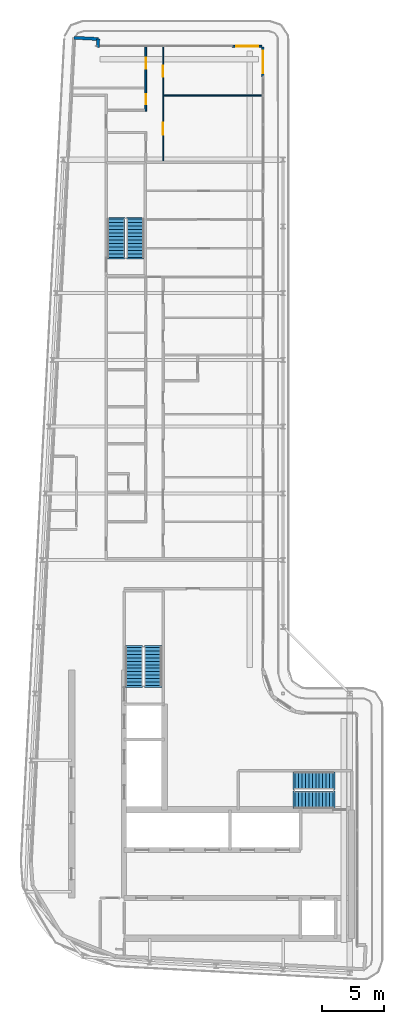
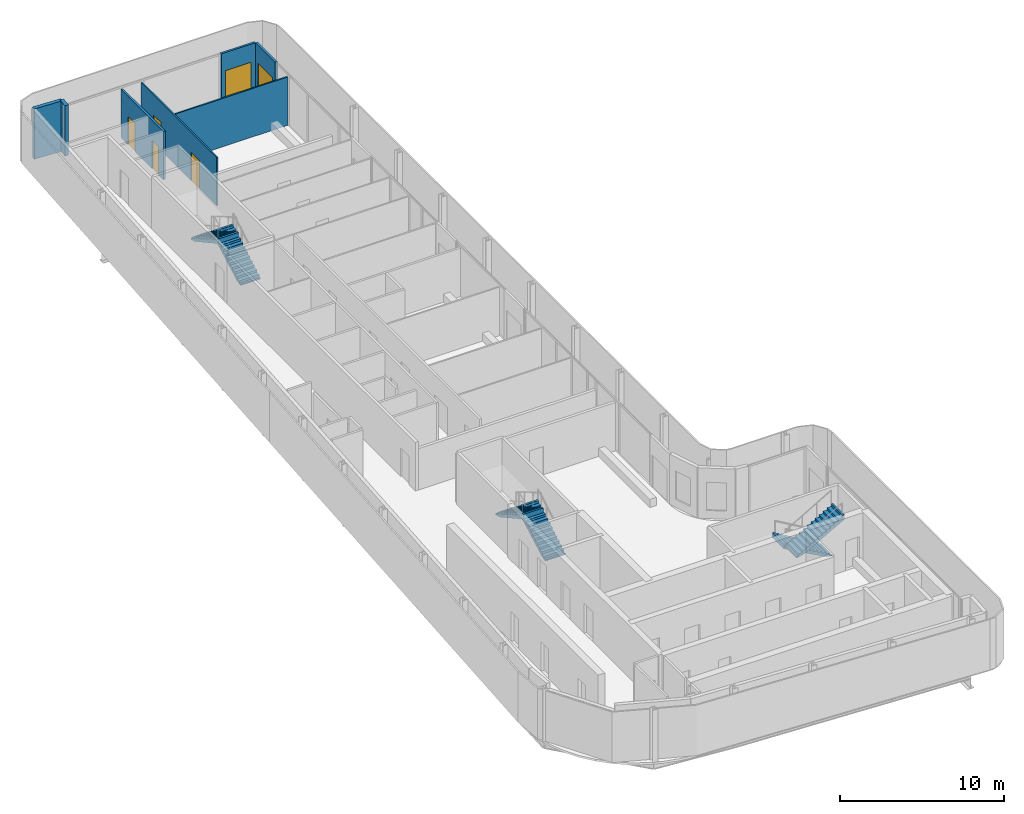
# One storey, part 12 of 18: 7 walls, 6 doors, 6 stair flights, 6 openings, 3 elements without a shape of their own.
"""IFC4 building model written with IfcOpenShell, lengths in metres."""

from ifc_helpers import new_model, si_unit, direction, frame, frame_2d, origin, place, context, subcontext, project, spatial, polyline, rectangle, outline, extrude, source, transform, mapped, material, layer, layer_set, type_object, element, fill, aggregate, save


model = new_model("IFC4")

# Units and contexts
model_context = context("Model", 3, precision=1e-05, world=origin(), true_north=direction((0.0, 1.0)))
body_context = subcontext(model_context, "Body", "Model", "MODEL_VIEW")
ifc_project = project(units=[si_unit("LENGTHUNIT", "METRE"), si_unit("AREAUNIT", "SQUARE_METRE"), si_unit("VOLUMEUNIT", "CUBIC_METRE"), si_unit("PLANEANGLEUNIT", "RADIAN"), si_unit("MASSUNIT", "GRAM", prefix="KILO")], contexts=[model_context])

# Site, building, storey
site_placement = place(None, origin())
site = spatial("IfcSite", under=ifc_project, at=site_placement, CompositionType="ELEMENT")
building_placement = place(site_placement, origin())
building = spatial("IfcBuilding", under=site, at=building_placement, Name="Kheshtan School and Residences Tower", CompositionType="ELEMENT")
storey_placement = place(building_placement, frame((0.0, 0.0, 385.10009765625)))
storey = spatial("IfcBuildingStorey", under=building, at=storey_placement, Name="L91", CompositionType="ELEMENT", Elevation=385.10009765625)

# Walls
ifc_material_1 = material(Name="Concrete C40/50 with ceramic cladding and mineral wool insulation", Category="concrete")
ifc_layer_1 = layer(ifc_material_1, 0.25)
ifc_layer_set_1 = layer_set([ifc_layer_1], Name="External wall 250 ceramic clad")
wall_type_1 = type_object("IfcWallType", Name="External wall 250 ceramic clad", PredefinedType="SOLIDWALL", material=ifc_layer_set_1)
wall_1_placement = place(storey_placement, frame((30.705078125, 98.6640625, 0.0), z_axis=(0.0, 0.0, 1.0), x_axis=(0.998577785791, -0.053314216913, 0.0)))
element("IfcWall", 1, at=wall_1_placement, inside=storey, type_object=wall_type_1, Name="External wall L91 5", PredefinedType="SOLIDWALL", context=body_context, shape_type="SweptSolid", body=[
    extrude(rectangle(XDim=1.95068359375, YDim=0.25, at=frame_2d((0.975341796875, 0.0))), origin(), (0.0, 0.0, 1.0), 3.75),
])
wall_2_placement = place(storey_placement, frame((32.653076171875, 98.56005859375, 0.0), z_axis=(0.0, 0.0, 1.0), x_axis=(-0.054093451632, -0.998535877418, 0.0)))
element("IfcWall", 2, at=wall_2_placement, inside=storey, type_object=wall_type_1, Name="External wall L91 6", PredefinedType="SOLIDWALL", context=body_context, shape_type="SweptSolid", body=[
    extrude(rectangle(XDim=0.66796875, YDim=0.25, at=frame_2d((0.333984375, 0.0))), origin(), (0.0, 0.0, 1.0), 3.75),
])

# Wall, opening, door
ifc_material_2 = material(Name="Aluminium frame wall with insulated infill", Category="aluminium")
ifc_layer_2 = layer(ifc_material_2, 0.14990234375)
ifc_layer_set_2 = layer_set([ifc_layer_2], Name="Glazing frame wall 150")
wall_type_2 = type_object("IfcWallType", Name="Glazing frame wall 150", PredefinedType="SOLIDWALL", material=ifc_layer_set_2)
wall_3_placement = place(storey_placement, frame((43.5, 97.97509765625, 0.0), z_axis=(0.0, 0.0, 1.0), x_axis=(1.0, 0.0, 0.0)))
wall_3 = element("IfcWall", 3, at=wall_3_placement, inside=storey, type_object=wall_type_2, Name="Balcony door wall L91 7.1", PredefinedType="SOLIDWALL", context=body_context, shape_type="SweptSolid", body=[
    extrude(rectangle(XDim=2.39990234375, YDim=0.14990234375, at=frame_2d((1.199951171875, 0.0))), origin(), (0.0, 0.0, 1.0), 3.75),
])
opening_1_placement = place(wall_3_placement, frame((0.300048828125, 0.0, 0.0)))
opening_1 = element("IfcOpeningElement", 4, at=opening_1_placement, cuts=wall_3, Name="Opening BD", PredefinedType="OPENING", context=body_context, shape_type="SweptSolid", body=[
    extrude(rectangle(XDim=1.800048828125, YDim=2.39990234375, at=frame_2d((0.89990234375, 1.199951171875))), frame((0.0, 0.0849609375, 0.0), z_axis=(0.0, -1.0, 0.0), x_axis=(1.0, 0.0, 0.0)), (0.0, 0.0, 1.0), 0.169921875),
])
ifc_material_3 = material(Name="Clear low-e glass in thermally broken aluminium frame", Category="aluminium")
door_type_1 = type_object("IfcDoorType", Name="Balcony sliding door", OperationType="SLIDING_TO_LEFT", PredefinedType="DOOR", material=ifc_material_3)
shared_shape_1 = source(origin(), body_context, "Body", "SweptSolid", [
    extrude(rectangle(XDim=1.800048828125, YDim=2.39990234375, at=frame_2d((0.89990234375, 1.199951171875))), frame((0.0, 0.02490234375, 0.0), z_axis=(0.0, -1.0, 0.0), x_axis=(1.0, 0.0, 0.0)), (0.0, 0.0, 1.0), 0.050048828125),
])
door_1_placement = place(opening_1_placement, origin())
door_1 = element("IfcDoor", 5, at=door_1_placement, inside=storey, type_object=door_type_1, Name="Balcony door L91 7.1", OperationType="SLIDING_TO_LEFT", OverallHeight=2.39990234375, OverallWidth=1.800048828125, PredefinedType="DOOR", context=body_context, shape_type="MappedRepresentation", body=[
    mapped(shared_shape_1, transform((0.0, 0.0, 0.0), x_axis=(1.0, 0.0, 0.0), y_axis=(0.0, 1.0, 0.0), z_axis=(0.0, 0.0, 1.0), scale=1.0)),
])
fill(opening_1, door_1)

wall_4_placement = place(storey_placement, frame((45.97509765625, 97.89990234375, 0.0), z_axis=(0.0, 0.0, 1.0), x_axis=(0.0, -1.0, 0.0)))
wall_4 = element("IfcWall", 6, at=wall_4_placement, inside=storey, type_object=wall_type_2, Name="Balcony door wall L91 8.1", PredefinedType="SOLIDWALL", context=body_context, shape_type="SweptSolid", body=[
    extrude(rectangle(XDim=2.39990234375, YDim=0.14990234375, at=frame_2d((1.199951171875, 0.0))), origin(), (0.0, 0.0, 1.0), 3.75),
])
opening_2_placement = place(wall_4_placement, frame((0.300048828125, 0.0, 0.0)))
opening_2 = element("IfcOpeningElement", 7, at=opening_2_placement, cuts=wall_4, Name="Opening BD", PredefinedType="OPENING", context=body_context, shape_type="SweptSolid", body=[
    extrude(rectangle(XDim=1.800048828125, YDim=2.39990234375, at=frame_2d((0.89990234375, 1.199951171875))), frame((0.0, 0.0849609375, 0.0), z_axis=(0.0, -1.0, 0.0), x_axis=(1.0, 0.0, 0.0)), (0.0, 0.0, 1.0), 0.169921875),
])
door_2_placement = place(opening_2_placement, origin())
door_2 = element("IfcDoor", 8, at=door_2_placement, inside=storey, type_object=door_type_1, Name="Balcony door L91 8.1", OperationType="SLIDING_TO_LEFT", OverallHeight=2.39990234375, OverallWidth=1.800048828125, PredefinedType="DOOR", context=body_context, shape_type="MappedRepresentation", body=[
    mapped(shared_shape_1, transform((0.0, 0.0, 0.0), x_axis=(1.0, 0.0, 0.0), y_axis=(0.0, 1.0, 0.0), z_axis=(0.0, 0.0, 1.0), scale=1.0)),
])
fill(opening_2, door_2)

# Wall, openings, doors
ifc_material_4 = material(Name="Gypsum board on steel studs", Category="steel")
ifc_layer_3 = layer(ifc_material_4, 0.10009765625)
ifc_layer_set_3 = layer_set([ifc_layer_3], Name="Gypsum partition 100")
wall_type_3 = type_object("IfcWallType", Name="Gypsum partition 100", PredefinedType="PARTITIONING", material=ifc_layer_set_3)
wall_5_placement = place(storey_placement, frame((37.89990234375, 88.699951171875, 0.0), z_axis=(0.0, 0.0, 1.0), x_axis=(0.0, 1.0, 0.0)))
wall_5 = element("IfcWall", 9, at=wall_5_placement, inside=storey, type_object=wall_type_3, Name="Partition L91-028", PredefinedType="PARTITIONING", context=body_context, shape_type="SweptSolid", body=[
    extrude(rectangle(XDim=9.199951171875, YDim=0.10009765625, at=frame_2d((4.60009765625, 0.0))), origin(), (0.0, 0.0, 1.0), 3.599853515625),
])
opening_3_placement = place(wall_5_placement, frame((6.800048828125, 0.0, 0.0)))
opening_3 = element("IfcOpeningElement", 10, at=opening_3_placement, cuts=wall_5, Name="Opening D90-021", PredefinedType="OPENING", context=body_context, shape_type="SweptSolid", body=[
    extrude(rectangle(XDim=0.89990234375, YDim=2.10009765625, at=frame_2d((0.449951171875, 1.050048828125))), frame((0.0, 0.06005859375, 0.0), z_axis=(0.0, -1.0, 0.0), x_axis=(1.0, 0.0, 0.0)), (0.0, 0.0, 1.0), 0.1201171875),
])
opening_4_placement = place(wall_5_placement, frame((2.10009765625, 0.0, 0.0)))
opening_4 = element("IfcOpeningElement", 11, at=opening_4_placement, cuts=wall_5, Name="Opening D90-024", PredefinedType="OPENING", context=body_context, shape_type="SweptSolid", body=[
    extrude(rectangle(XDim=1.0, YDim=2.10009765625, at=frame_2d((0.5, 1.050048828125))), frame((0.0, 0.06005859375, 0.0), z_axis=(0.0, -1.0, 0.0), x_axis=(1.0, 0.0, 0.0)), (0.0, 0.0, 1.0), 0.1201171875),
])
ifc_material_5 = material(Name="Veneered timber door leaf", Category="wood")
door_type_2 = type_object("IfcDoorType", Name="Door 1000 x 2100", OperationType="SINGLE_SWING_LEFT", PredefinedType="DOOR", material=ifc_material_5)
shared_shape_2 = source(origin(), body_context, "Body", "SweptSolid", [
    extrude(rectangle(XDim=1.0, YDim=2.10009765625, at=frame_2d((0.5, 1.050048828125))), frame((0.0, 0.02490234375, 0.0), z_axis=(0.0, -1.0, 0.0), x_axis=(1.0, 0.0, 0.0)), (0.0, 0.0, 1.0), 0.050048828125),
])
door_3_placement = place(opening_4_placement, origin())
door_3 = element("IfcDoor", 12, at=door_3_placement, inside=storey, type_object=door_type_2, Name="Door D90-024", OperationType="SINGLE_SWING_LEFT", OverallHeight=2.10009765625, OverallWidth=1.0, PredefinedType="DOOR", context=body_context, shape_type="MappedRepresentation", body=[
    mapped(shared_shape_2, transform((0.0, 0.0, 0.0), x_axis=(1.0, 0.0, 0.0), y_axis=(0.0, 1.0, 0.0), z_axis=(0.0, 0.0, 1.0), scale=1.0)),
])
fill(opening_4, door_3)
door_type_3 = type_object("IfcDoorType", Name="Door 900 x 2100", OperationType="SINGLE_SWING_LEFT", PredefinedType="DOOR", material=ifc_material_5)
shared_shape_3 = source(origin(), body_context, "Body", "SweptSolid", [
    extrude(rectangle(XDim=0.89990234375, YDim=2.10009765625, at=frame_2d((0.449951171875, 1.050048828125))), frame((0.0, 0.02490234375, 0.0), z_axis=(0.0, -1.0, 0.0), x_axis=(1.0, 0.0, 0.0)), (0.0, 0.0, 1.0), 0.050048828125),
])
door_4_placement = place(opening_3_placement, origin())
door_4 = element("IfcDoor", 13, at=door_4_placement, inside=storey, type_object=door_type_3, Name="Door D90-021", OperationType="SINGLE_SWING_RIGHT", OverallHeight=2.10009765625, OverallWidth=0.89990234375, PredefinedType="DOOR", context=body_context, shape_type="MappedRepresentation", body=[
    mapped(shared_shape_3, transform((0.0, 0.0, 0.0), x_axis=(1.0, 0.0, 0.0), y_axis=(0.0, 1.0, 0.0), z_axis=(0.0, 0.0, 1.0), scale=1.0)),
])
fill(opening_3, door_4)

# Wall
wall_6_placement = place(storey_placement, frame((37.949951171875, 94.0, 0.0), z_axis=(0.0, 0.0, 1.0), x_axis=(1.0, 0.0, 0.0)))
element("IfcWall", 14, at=wall_6_placement, inside=storey, type_object=wall_type_3, Name="Partition L91-029", PredefinedType="PARTITIONING", context=body_context, shape_type="SweptSolid", body=[
    extrude(rectangle(XDim=7.949951171875, YDim=0.10009765625, at=frame_2d((3.97509765625, 0.0))), origin(), (0.0, 0.0, 1.0), 3.599853515625),
])

# Wall, openings, doors
ifc_material_6 = material(Name="Moisture-resistant gypsum board on steel studs", Category="steel")
ifc_layer_4 = layer(ifc_material_6, 0.14990234375)
ifc_layer_set_4 = layer_set([ifc_layer_4], Name="Wet-room partition 150")
wall_type_4 = type_object("IfcWallType", Name="Wet-room partition 150", PredefinedType="PARTITIONING", material=ifc_layer_set_4)
wall_7_placement = place(storey_placement, frame((36.5, 92.72509765625, 0.0), z_axis=(0.0, 0.0, 1.0), x_axis=(0.0, 1.0, 0.0)))
wall_7 = element("IfcWall", 15, at=wall_7_placement, inside=storey, type_object=wall_type_4, Name="Partition L91-023", PredefinedType="PARTITIONING", context=body_context, shape_type="SweptSolid", body=[
    extrude(rectangle(XDim=5.1748046875, YDim=0.14990234375, at=frame_2d((2.58740234375, 0.0))), origin(), (0.0, 0.0, 1.0), 3.599853515625),
])
opening_5_placement = place(wall_7_placement, frame((3.425048828125, 0.0, 0.0)))
opening_5 = element("IfcOpeningElement", 16, at=opening_5_placement, cuts=wall_7, Name="Opening D90-023", PredefinedType="OPENING", context=body_context, shape_type="SweptSolid", body=[
    extrude(rectangle(XDim=0.89990234375, YDim=2.10009765625, at=frame_2d((0.449951171875, 1.050048828125))), frame((0.0, 0.0849609375, 0.0), z_axis=(0.0, -1.0, 0.0), x_axis=(1.0, 0.0, 0.0)), (0.0, 0.0, 1.0), 0.169921875),
])
opening_6_placement = place(wall_7_placement, frame((0.574951171875, 0.0, 0.0)))
opening_6 = element("IfcOpeningElement", 17, at=opening_6_placement, cuts=wall_7, Name="Opening D90-025", PredefinedType="OPENING", context=body_context, shape_type="SweptSolid", body=[
    extrude(rectangle(XDim=0.800048828125, YDim=2.10009765625, at=frame_2d((0.39990234375, 1.050048828125))), frame((0.0, 0.0849609375, 0.0), z_axis=(0.0, -1.0, 0.0), x_axis=(1.0, 0.0, 0.0)), (0.0, 0.0, 1.0), 0.169921875),
])
door_type_4 = type_object("IfcDoorType", Name="Door 800 x 2100", OperationType="SINGLE_SWING_LEFT", PredefinedType="DOOR", material=ifc_material_5)
shared_shape_4 = source(origin(), body_context, "Body", "SweptSolid", [
    extrude(rectangle(XDim=0.800048828125, YDim=2.10009765625, at=frame_2d((0.39990234375, 1.050048828125))), frame((0.0, 0.02490234375, 0.0), z_axis=(0.0, -1.0, 0.0), x_axis=(1.0, 0.0, 0.0)), (0.0, 0.0, 1.0), 0.050048828125),
])
door_5_placement = place(opening_6_placement, origin())
door_5 = element("IfcDoor", 18, at=door_5_placement, inside=storey, type_object=door_type_4, Name="Door D90-025", OperationType="SINGLE_SWING_RIGHT", OverallHeight=2.10009765625, OverallWidth=0.800048828125, PredefinedType="DOOR", context=body_context, shape_type="MappedRepresentation", body=[
    mapped(shared_shape_4, transform((0.0, 0.0, 0.0), x_axis=(1.0, 0.0, 0.0), y_axis=(0.0, 1.0, 0.0), z_axis=(0.0, 0.0, 1.0), scale=1.0)),
])
fill(opening_6, door_5)
door_6_placement = place(opening_5_placement, origin())
door_6 = element("IfcDoor", 19, at=door_6_placement, inside=storey, type_object=door_type_3, Name="Door D90-023", OperationType="SINGLE_SWING_RIGHT", OverallHeight=2.10009765625, OverallWidth=0.89990234375, PredefinedType="DOOR", context=body_context, shape_type="MappedRepresentation", body=[
    mapped(shared_shape_3, transform((0.0, 0.0, 0.0), x_axis=(1.0, 0.0, 0.0), y_axis=(0.0, 1.0, 0.0), z_axis=(0.0, 0.0, 1.0), scale=1.0)),
])
fill(opening_5, door_6)

# Stair, stair flights
ifc_material_7 = material(Name="Concrete C40/50", Category="concrete")
stair_type = type_object("IfcStairType", Name="Exit stair, half-turn", PredefinedType="HALF_TURN_STAIR", material=ifc_material_7)
stair_1_placement = place(storey_placement, origin())
stair_1 = element("IfcStair", 20, at=stair_1_placement, inside=storey, type_object=stair_type, Name="L91 Protected Exit Stair ST1", PredefinedType="HALF_TURN_STAIR")
ifc_layer_5 = layer(ifc_material_7, 0.14990234375)
ifc_layer_set_5 = layer_set([ifc_layer_5], Name="Stair flight 1400 Concrete C40/50")
stair_flight_type = type_object("IfcStairFlightType", Name="Stair flight 1400 Concrete C40/50", PredefinedType="STRAIGHT", material=ifc_layer_set_5)
stair_flight_1_placement = place(storey_placement, frame((51.64990234375, 38.550048828125, 0.0), z_axis=(0.0, 0.0, 1.0), x_axis=(-1.0, 0.0, 0.0)))
stair_flight_1 = element("IfcStairFlight", 21, at=stair_flight_1_placement, type_object=stair_flight_type, Name="ST1 flight 1", NumberOfRisers=12, NumberOfTreads=11, PredefinedType="STRAIGHT", RiserHeight=0.1625, TreadLength=0.28, context=body_context, shape_type="SweptSolid", body=[
    extrude(outline(polyline([(-0.14990234375, -0.10009765625), (-0.14990234375, 0.0), (0.0, 0.0), (0.0, 0.16259765625), (0.280029296875, 0.16259765625), (0.280029296875, 0.324951171875), (0.56005859375, 0.324951171875), (0.56005859375, 0.487548828125), (0.840087890625, 0.487548828125), (0.840087890625, 0.64990234375), (1.1201171875, 0.64990234375), (1.1201171875, 0.8125), (1.39990234375, 0.8125), (1.39990234375, 0.97509765625), (1.679931640625, 0.97509765625), (1.679931640625, 1.137451171875), (1.9599609375, 1.137451171875), (1.9599609375, 1.300048828125), (2.239990234375, 1.300048828125), (2.239990234375, 1.46240234375), (2.52001953125, 1.46240234375), (2.52001953125, 1.625), (2.800048828125, 1.625), (2.800048828125, 1.78759765625), (3.080078125, 1.78759765625), (3.080078125, 1.949951171875), (3.080078125, 1.969970703125), (3.22998046875, 1.969970703125), (3.22998046875, 1.6142578125), (0.298583984375, 0.0), (-0.14990234375, -0.10009765625)])), frame((0.0, 0.699951171875, 0.0), z_axis=(0.0, -1.0, 0.0), x_axis=(1.0, 0.0, 0.0)), (0.0, 0.0, 1.0), 1.39990234375),
])
stair_flight_2_placement = place(storey_placement, frame((48.570068359375, 37.0, 1.949951171875), z_axis=(0.0, 0.0, 1.0), x_axis=(1.0, 0.0, 0.0)))
stair_flight_2 = element("IfcStairFlight", 22, at=stair_flight_2_placement, type_object=stair_flight_type, Name="ST1 flight 2", NumberOfRisers=12, NumberOfTreads=11, PredefinedType="STRAIGHT", RiserHeight=0.1625, TreadLength=0.28, context=body_context, shape_type="SweptSolid", body=[
    extrude(outline(polyline([(-0.14990234375, -0.10009765625), (-0.14990234375, 0.0), (0.0, 0.0), (0.0, 0.16259765625), (0.280029296875, 0.16259765625), (0.280029296875, 0.324951171875), (0.56005859375, 0.324951171875), (0.56005859375, 0.487548828125), (0.840087890625, 0.487548828125), (0.840087890625, 0.64990234375), (1.1201171875, 0.64990234375), (1.1201171875, 0.8125), (1.39990234375, 0.8125), (1.39990234375, 0.97509765625), (1.679931640625, 0.97509765625), (1.679931640625, 1.137451171875), (1.9599609375, 1.137451171875), (1.9599609375, 1.300048828125), (2.239990234375, 1.300048828125), (2.239990234375, 1.46240234375), (2.52001953125, 1.46240234375), (2.52001953125, 1.625), (2.800048828125, 1.625), (2.800048828125, 1.78759765625), (3.080078125, 1.78759765625), (3.080078125, 1.949951171875), (3.080078125, 1.969970703125), (3.22998046875, 1.969970703125), (3.22998046875, 1.6142578125), (0.298583984375, 0.0), (-0.14990234375, -0.10009765625)])), frame((0.0, 0.699951171875, 0.0), z_axis=(0.0, -1.0, 0.0), x_axis=(1.0, 0.0, 0.0)), (0.0, 0.0, 1.0), 1.39990234375),
])
aggregate(stair_1, [stair_flight_1, stair_flight_2])

stair_2_placement = place(storey_placement, origin())
stair_2 = element("IfcStair", 23, at=stair_2_placement, inside=storey, type_object=stair_type, Name="L91 Protected Exit Stair ST2", PredefinedType="HALF_TURN_STAIR")
stair_flight_3_placement = place(storey_placement, frame((37.10009765625, 46.25, 0.0), z_axis=(0.0, 0.0, 1.0), x_axis=(0.0, 1.0, 0.0)))
stair_flight_3 = element("IfcStairFlight", 24, at=stair_flight_3_placement, type_object=stair_flight_type, Name="ST2 flight 1", NumberOfRisers=12, NumberOfTreads=11, PredefinedType="STRAIGHT", RiserHeight=0.1625, TreadLength=0.28, context=body_context, shape_type="SweptSolid", body=[
    extrude(outline(polyline([(-0.14990234375, -0.10009765625), (-0.14990234375, 0.0), (0.0, 0.0), (0.0, 0.16259765625), (0.280029296875, 0.16259765625), (0.280029296875, 0.324951171875), (0.56005859375, 0.324951171875), (0.56005859375, 0.487548828125), (0.840087890625, 0.487548828125), (0.840087890625, 0.64990234375), (1.1201171875, 0.64990234375), (1.1201171875, 0.8125), (1.39990234375, 0.8125), (1.39990234375, 0.97509765625), (1.679931640625, 0.97509765625), (1.679931640625, 1.137451171875), (1.9599609375, 1.137451171875), (1.9599609375, 1.300048828125), (2.239990234375, 1.300048828125), (2.239990234375, 1.46240234375), (2.52001953125, 1.46240234375), (2.52001953125, 1.625), (2.800048828125, 1.625), (2.800048828125, 1.78759765625), (3.080078125, 1.78759765625), (3.080078125, 1.949951171875), (3.080078125, 1.969970703125), (3.22998046875, 1.969970703125), (3.22998046875, 1.6142578125), (0.298583984375, 0.0), (-0.14990234375, -0.10009765625)])), frame((0.0, 0.699951171875, 0.0), z_axis=(0.0, -1.0, 0.0), x_axis=(1.0, 0.0, 0.0)), (0.0, 0.0, 1.0), 1.39990234375),
])
stair_flight_4_placement = place(storey_placement, frame((35.550048828125, 49.330078125, 1.949951171875), z_axis=(0.0, 0.0, 1.0), x_axis=(0.0, -1.0, 0.0)))
stair_flight_4 = element("IfcStairFlight", 25, at=stair_flight_4_placement, type_object=stair_flight_type, Name="ST2 flight 2", NumberOfRisers=12, NumberOfTreads=11, PredefinedType="STRAIGHT", RiserHeight=0.1625, TreadLength=0.28, context=body_context, shape_type="SweptSolid", body=[
    extrude(outline(polyline([(-0.14990234375, -0.10009765625), (-0.14990234375, 0.0), (0.0, 0.0), (0.0, 0.16259765625), (0.280029296875, 0.16259765625), (0.280029296875, 0.324951171875), (0.56005859375, 0.324951171875), (0.56005859375, 0.487548828125), (0.840087890625, 0.487548828125), (0.840087890625, 0.64990234375), (1.1201171875, 0.64990234375), (1.1201171875, 0.8125), (1.39990234375, 0.8125), (1.39990234375, 0.97509765625), (1.679931640625, 0.97509765625), (1.679931640625, 1.137451171875), (1.9599609375, 1.137451171875), (1.9599609375, 1.300048828125), (2.239990234375, 1.300048828125), (2.239990234375, 1.46240234375), (2.52001953125, 1.46240234375), (2.52001953125, 1.625), (2.800048828125, 1.625), (2.800048828125, 1.78759765625), (3.080078125, 1.78759765625), (3.080078125, 1.949951171875), (3.080078125, 1.969970703125), (3.22998046875, 1.969970703125), (3.22998046875, 1.6142578125), (0.298583984375, 0.0), (-0.14990234375, -0.10009765625)])), frame((0.0, 0.699951171875, 0.0), z_axis=(0.0, -1.0, 0.0), x_axis=(1.0, 0.0, 0.0)), (0.0, 0.0, 1.0), 1.39990234375),
])
aggregate(stair_2, [stair_flight_3, stair_flight_4])

stair_3_placement = place(storey_placement, origin())
stair_3 = element("IfcStair", 26, at=stair_3_placement, inside=storey, type_object=stair_type, Name="L91 Protected Exit Stair ST3", PredefinedType="HALF_TURN_STAIR")
stair_flight_5_placement = place(storey_placement, frame((35.64990234375, 80.89990234375, 0.0), z_axis=(0.0, 0.0, 1.0), x_axis=(0.0, 1.0, 0.0)))
stair_flight_5 = element("IfcStairFlight", 27, at=stair_flight_5_placement, type_object=stair_flight_type, Name="ST3 flight 1", NumberOfRisers=12, NumberOfTreads=11, PredefinedType="STRAIGHT", RiserHeight=0.1625, TreadLength=0.28, context=body_context, shape_type="SweptSolid", body=[
    extrude(outline(polyline([(-0.14990234375, -0.10009765625), (-0.14990234375, 0.0), (0.0, 0.0), (0.0, 0.16259765625), (0.280029296875, 0.16259765625), (0.280029296875, 0.324951171875), (0.56005859375, 0.324951171875), (0.56005859375, 0.487548828125), (0.840087890625, 0.487548828125), (0.840087890625, 0.64990234375), (1.1201171875, 0.64990234375), (1.1201171875, 0.8125), (1.39990234375, 0.8125), (1.39990234375, 0.97509765625), (1.679931640625, 0.97509765625), (1.679931640625, 1.137451171875), (1.9599609375, 1.137451171875), (1.9599609375, 1.300048828125), (2.239990234375, 1.300048828125), (2.239990234375, 1.46240234375), (2.52001953125, 1.46240234375), (2.52001953125, 1.625), (2.800048828125, 1.625), (2.800048828125, 1.78759765625), (3.080078125, 1.78759765625), (3.080078125, 1.949951171875), (3.080078125, 1.969970703125), (3.22998046875, 1.969970703125), (3.22998046875, 1.6142578125), (0.298583984375, 0.0), (-0.14990234375, -0.10009765625)])), frame((0.0, 0.699951171875, 0.0), z_axis=(0.0, -1.0, 0.0), x_axis=(1.0, 0.0, 0.0)), (0.0, 0.0, 1.0), 1.39990234375),
])
stair_flight_6_placement = place(storey_placement, frame((34.10009765625, 83.97998046875, 1.949951171875), z_axis=(0.0, 0.0, 1.0), x_axis=(0.0, -1.0, 0.0)))
stair_flight_6 = element("IfcStairFlight", 28, at=stair_flight_6_placement, type_object=stair_flight_type, Name="ST3 flight 2", NumberOfRisers=12, NumberOfTreads=11, PredefinedType="STRAIGHT", RiserHeight=0.1625, TreadLength=0.28, context=body_context, shape_type="SweptSolid", body=[
    extrude(outline(polyline([(-0.14990234375, -0.10009765625), (-0.14990234375, 0.0), (0.0, 0.0), (0.0, 0.16259765625), (0.280029296875, 0.16259765625), (0.280029296875, 0.324951171875), (0.56005859375, 0.324951171875), (0.56005859375, 0.487548828125), (0.840087890625, 0.487548828125), (0.840087890625, 0.64990234375), (1.1201171875, 0.64990234375), (1.1201171875, 0.8125), (1.39990234375, 0.8125), (1.39990234375, 0.97509765625), (1.679931640625, 0.97509765625), (1.679931640625, 1.137451171875), (1.9599609375, 1.137451171875), (1.9599609375, 1.300048828125), (2.239990234375, 1.300048828125), (2.239990234375, 1.46240234375), (2.52001953125, 1.46240234375), (2.52001953125, 1.625), (2.800048828125, 1.625), (2.800048828125, 1.78759765625), (3.080078125, 1.78759765625), (3.080078125, 1.949951171875), (3.080078125, 1.969970703125), (3.22998046875, 1.969970703125), (3.22998046875, 1.6142578125), (0.298583984375, 0.0), (-0.14990234375, -0.10009765625)])), frame((0.0, 0.699951171875, 0.0), z_axis=(0.0, -1.0, 0.0), x_axis=(1.0, 0.0, 0.0)), (0.0, 0.0, 1.0), 1.39990234375),
])
aggregate(stair_3, [stair_flight_5, stair_flight_6])

save(model, "model.ifc")
